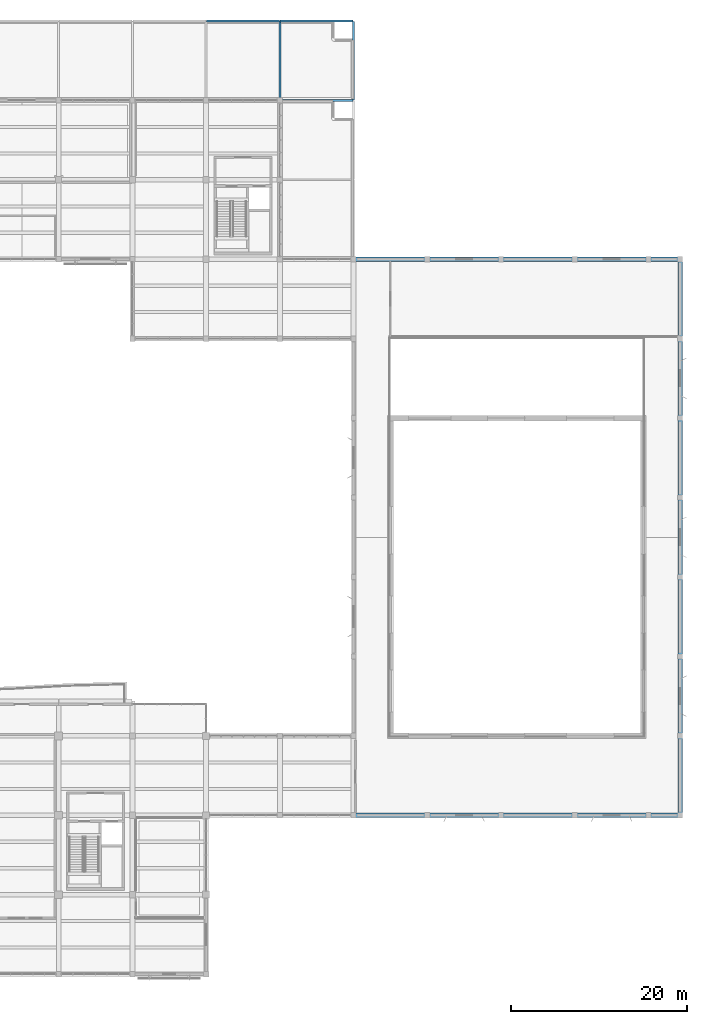
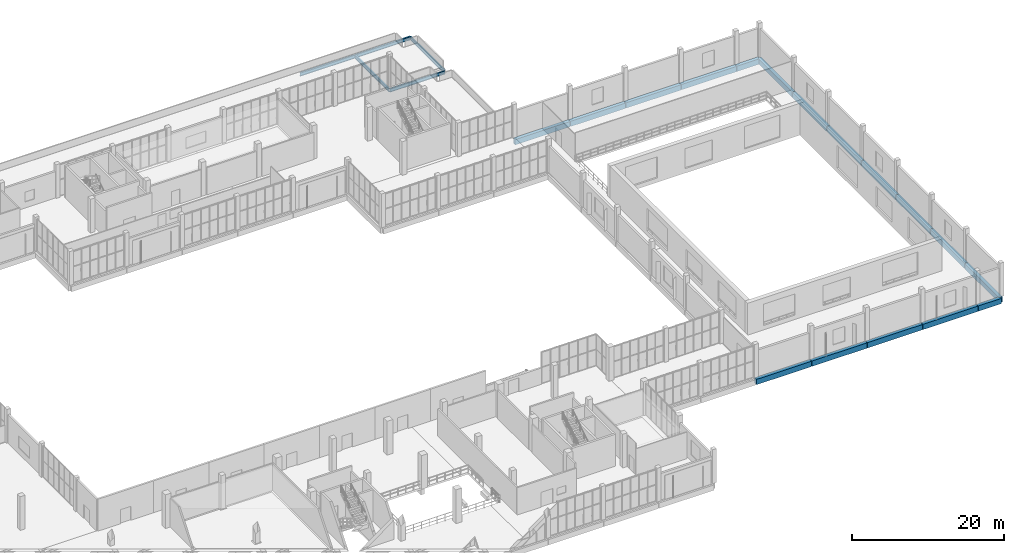
# One storey, part 93 of 132: 22 beams.
"""IFC4 building model written with IfcOpenShell, lengths in metres."""

from ifc_helpers import new_model, si_unit, direction, frame, origin, origin_2d, place, context, subcontext, project, spatial, rectangle, i_section, extrude, material, material_profile, profile_set, type_object, element, save


model = new_model("IFC4")

# Units and contexts
model_context = context("Model", 3, precision=1e-05, world=origin(), true_north=direction((0.0, 1.0)))
body_context = subcontext(model_context, "Body", "Model", "MODEL_VIEW")
ifc_project = project(units=[si_unit("LENGTHUNIT", "METRE"), si_unit("AREAUNIT", "SQUARE_METRE"), si_unit("VOLUMEUNIT", "CUBIC_METRE"), si_unit("PLANEANGLEUNIT", "RADIAN"), si_unit("MASSUNIT", "GRAM", prefix="KILO")], contexts=[model_context])

# Site, building, storey
site_placement = place(None, origin())
site = spatial("IfcSite", under=ifc_project, at=site_placement, CompositionType="ELEMENT")
building_placement = place(site_placement, origin())
building = spatial("IfcBuilding", under=site, at=building_placement, Name="Khurvash Pelagic Aquarium", CompositionType="ELEMENT")
storey_placement = place(building_placement, frame((0.0, 0.0, 5.39990234375)))
storey = spatial("IfcBuildingStorey", under=building, at=storey_placement, Name="L01", CompositionType="ELEMENT", Elevation=5.39990234375)

# Beams
ifc_material_1 = material(Name="Steel ASTM A992 Grade 50", Category="steel")
ifc_material_profile_1 = material_profile(ifc_material_1, i_section(OverallWidth=0.214111328125, OverallDepth=0.549072265625, WebThickness=0.0146484375, FlangeThickness=0.023681640625, at=origin_2d()), Name="W21X93")
ifc_profile_set_1 = profile_set([ifc_material_profile_1], Name="Steel ASTM A992 Grade 50")
beam_type_1 = type_object("IfcBeamType", Name="BM-11", PredefinedType="BEAM", material=ifc_profile_set_1)
for number, where, z_axis, x_axis, name in (
    (1, (117.639892578125, 102.14990234375, -0.594482421875), (1.0, 0.0, 0.0), (0.0, 1.0, 0.0), "L01 Roof Girder BM-11 01196"),
    (2, (109.239990234375, 111.199951171875, -0.594482421875), (1.0, 0.0, 0.0), (0.0, 1.0, 0.0), "L01 Roof Girder BM-11 01203"),
    (3, (117.639892578125, 111.199951171875, -0.594482421875), (1.0, 0.0, 0.0), (0.0, 1.0, 0.0), "L01 Roof Girder BM-11 01204"),
):
    element("IfcBeam", number, at=place(storey_placement, frame(where, z_axis=z_axis, x_axis=x_axis)), inside=storey, type_object=beam_type_1, Name=name, PredefinedType="BEAM", context=body_context, shape_type="SweptSolid", body=[
        extrude(i_section(OverallWidth=0.214111328125, OverallDepth=0.549072265625, WebThickness=0.0146484375, FlangeThickness=0.023681640625, at=origin_2d()), origin(), (0.0, 0.0, 1.0), 8.320068359375),
    ])
for number, where, z_axis, x_axis, name in (
    (4, (117.60009765625, 102.18994140625, -0.594482421875), (0.0, 1.0, 0.0), (-1.0, 0.0, 0.0), "L01 Roof Girder BM-11 01216"),
    (5, (126.0, 102.18994140625, -0.594482421875), (0.0, 1.0, 0.0), (-1.0, 0.0, 0.0), "L01 Roof Girder BM-11 01219"),
):
    element("IfcBeam", number, at=place(storey_placement, frame(where, z_axis=z_axis, x_axis=x_axis)), inside=storey, type_object=beam_type_1, Name=name, PredefinedType="BEAM", context=body_context, shape_type="SweptSolid", body=[
        extrude(i_section(OverallWidth=0.214111328125, OverallDepth=0.549072265625, WebThickness=0.0146484375, FlangeThickness=0.023681640625, at=origin_2d()), origin(), (0.0, 0.0, 1.0), 8.969970703125),
    ])
ifc_material_2 = material(Name="Concrete C40/50", Category="concrete")
ifc_material_profile_2 = material_profile(ifc_material_2, rectangle(XDim=0.5, YDim=0.85009765625, at=origin_2d()), Name="RC500X850")
ifc_profile_set_2 = profile_set([ifc_material_profile_2], Name="Concrete C40/50")
beam_type_2 = type_object("IfcBeamType", Name="SEB-03", PredefinedType="SPANDREL", material=ifc_profile_set_2)
for number, where, z_axis, x_axis, name in (
    (6, (126.0400390625, 20.699951171875, -0.744873046875), (1.0, 0.0, 0.0), (0.0, 1.0, 0.0), "L01 Primary Girder SEB-03 00271"),
    (7, (134.43994140625, 20.699951171875, -0.744873046875), (1.0, 0.0, 0.0), (0.0, 1.0, 0.0), "L01 Primary Girder SEB-03 00272"),
):
    element("IfcBeam", number, at=place(storey_placement, frame(where, z_axis=z_axis, x_axis=x_axis)), inside=storey, type_object=beam_type_2, Name=name, PredefinedType="SPANDREL", context=body_context, shape_type="SweptSolid", body=[
        extrude(rectangle(XDim=0.5, YDim=0.85009765625, at=origin_2d()), origin(), (0.0, 0.0, 1.0), 8.320068359375),
    ])
beam_1_placement = place(storey_placement, frame((142.840087890625, 20.699951171875, -0.744873046875), z_axis=(1.0, 0.0, 0.0), x_axis=(0.0, 1.0, 0.0)))
element("IfcBeam", 8, at=beam_1_placement, inside=storey, type_object=beam_type_2, Name="L01 Primary Girder SEB-03 00273", PredefinedType="SPANDREL", context=body_context, shape_type="SweptSolid", body=[
    extrude(rectangle(XDim=0.5, YDim=0.85009765625, at=origin_2d()), origin(), (0.0, 0.0, 1.0), 8.31982421875),
])
beam_2_placement = place(storey_placement, frame((151.239990234375, 20.699951171875, -0.744873046875), z_axis=(1.0, 0.0, 0.0), x_axis=(0.0, 1.0, 0.0)))
element("IfcBeam", 9, at=beam_2_placement, inside=storey, type_object=beam_type_2, Name="L01 Primary Girder SEB-03 00274", PredefinedType="SPANDREL", context=body_context, shape_type="SweptSolid", body=[
    extrude(rectangle(XDim=0.5, YDim=0.85009765625, at=origin_2d()), origin(), (0.0, 0.0, 1.0), 8.320068359375),
])
beam_3_placement = place(storey_placement, frame((159.639892578125, 20.699951171875, -0.744873046875), z_axis=(1.0, 0.0, 0.0), x_axis=(0.0, 1.0, 0.0)))
element("IfcBeam", 10, at=beam_3_placement, inside=storey, type_object=beam_type_2, Name="L01 Primary Girder SEB-03 00275", PredefinedType="SPANDREL", context=body_context, shape_type="SweptSolid", body=[
    extrude(rectangle(XDim=0.5, YDim=0.85009765625, at=origin_2d()), origin(), (0.0, 0.0, 1.0), 3.52001953125),
])
for number, where, z_axis, x_axis, name in (
    (11, (126.0400390625, 84.050048828125, -0.744873046875), (1.0, 0.0, 0.0), (0.0, 1.0, 0.0), "L01 Primary Girder SEB-03 00318"),
    (12, (134.43994140625, 84.050048828125, -0.744873046875), (1.0, 0.0, 0.0), (0.0, 1.0, 0.0), "L01 Primary Girder SEB-03 00319"),
):
    element("IfcBeam", number, at=place(storey_placement, frame(where, z_axis=z_axis, x_axis=x_axis)), inside=storey, type_object=beam_type_2, Name=name, PredefinedType="SPANDREL", context=body_context, shape_type="SweptSolid", body=[
        extrude(rectangle(XDim=0.5, YDim=0.85009765625, at=origin_2d()), origin(), (0.0, 0.0, 1.0), 8.320068359375),
    ])
beam_4_placement = place(storey_placement, frame((142.840087890625, 84.050048828125, -0.744873046875), z_axis=(1.0, 0.0, 0.0), x_axis=(0.0, 1.0, 0.0)))
element("IfcBeam", 13, at=beam_4_placement, inside=storey, type_object=beam_type_2, Name="L01 Primary Girder SEB-03 00320", PredefinedType="SPANDREL", context=body_context, shape_type="SweptSolid", body=[
    extrude(rectangle(XDim=0.5, YDim=0.85009765625, at=origin_2d()), origin(), (0.0, 0.0, 1.0), 8.31982421875),
])
beam_5_placement = place(storey_placement, frame((151.239990234375, 84.050048828125, -0.744873046875), z_axis=(1.0, 0.0, 0.0), x_axis=(0.0, 1.0, 0.0)))
element("IfcBeam", 14, at=beam_5_placement, inside=storey, type_object=beam_type_2, Name="L01 Primary Girder SEB-03 00321", PredefinedType="SPANDREL", context=body_context, shape_type="SweptSolid", body=[
    extrude(rectangle(XDim=0.5, YDim=0.85009765625, at=origin_2d()), origin(), (0.0, 0.0, 1.0), 8.320068359375),
])
beam_6_placement = place(storey_placement, frame((159.639892578125, 84.050048828125, -0.744873046875), z_axis=(1.0, 0.0, 0.0), x_axis=(0.0, 1.0, 0.0)))
element("IfcBeam", 15, at=beam_6_placement, inside=storey, type_object=beam_type_2, Name="L01 Primary Girder SEB-03 00322", PredefinedType="SPANDREL", context=body_context, shape_type="SweptSolid", body=[
    extrude(rectangle(XDim=0.5, YDim=0.85009765625, at=origin_2d()), origin(), (0.0, 0.0, 1.0), 3.52001953125),
])
for number, where, z_axis, x_axis, name in (
    (16, (163.199951171875, 20.739990234375, -0.73486328125), (0.0, 1.0, 0.0), (-1.0, 0.0, 0.0), "L01 Primary Girder SEB-03 00435"),
    (17, (163.199951171875, 29.7900390625, -0.73486328125), (0.0, 1.0, 0.0), (-1.0, 0.0, 0.0), "L01 Primary Girder SEB-03 00436"),
    (18, (163.199951171875, 38.840087890625, -0.73486328125), (0.0, 1.0, 0.0), (-1.0, 0.0, 0.0), "L01 Primary Girder SEB-03 00437"),
):
    element("IfcBeam", number, at=place(storey_placement, frame(where, z_axis=z_axis, x_axis=x_axis)), inside=storey, type_object=beam_type_2, Name=name, PredefinedType="SPANDREL", context=body_context, shape_type="SweptSolid", body=[
        extrude(rectangle(XDim=0.5, YDim=0.85009765625, at=origin_2d()), origin(), (0.0, 0.0, 1.0), 8.969970703125),
    ])
beam_7_placement = place(storey_placement, frame((163.199951171875, 47.889892578125, -0.73486328125), z_axis=(0.0, 1.0, 0.0), x_axis=(-1.0, 0.0, 0.0)))
element("IfcBeam", 19, at=beam_7_placement, inside=storey, type_object=beam_type_2, Name="L01 Primary Girder SEB-03 00438", PredefinedType="SPANDREL", context=body_context, shape_type="SweptSolid", body=[
    extrude(rectangle(XDim=0.5, YDim=0.85009765625, at=origin_2d()), origin(), (0.0, 0.0, 1.0), 8.97021484375),
])
for number, where, z_axis, x_axis, name in (
    (20, (163.199951171875, 56.93994140625, -0.73486328125), (0.0, 1.0, 0.0), (-1.0, 0.0, 0.0), "L01 Primary Girder SEB-03 00439"),
    (21, (163.199951171875, 65.989990234375, -0.73486328125), (0.0, 1.0, 0.0), (-1.0, 0.0, 0.0), "L01 Primary Girder SEB-03 00440"),
    (22, (163.199951171875, 75.0400390625, -0.73486328125), (0.0, 1.0, 0.0), (-1.0, 0.0, 0.0), "L01 Primary Girder SEB-03 00441"),
):
    element("IfcBeam", number, at=place(storey_placement, frame(where, z_axis=z_axis, x_axis=x_axis)), inside=storey, type_object=beam_type_2, Name=name, PredefinedType="SPANDREL", context=body_context, shape_type="SweptSolid", body=[
        extrude(rectangle(XDim=0.5, YDim=0.85009765625, at=origin_2d()), origin(), (0.0, 0.0, 1.0), 8.969970703125),
    ])

save(model, "model.ifc")
